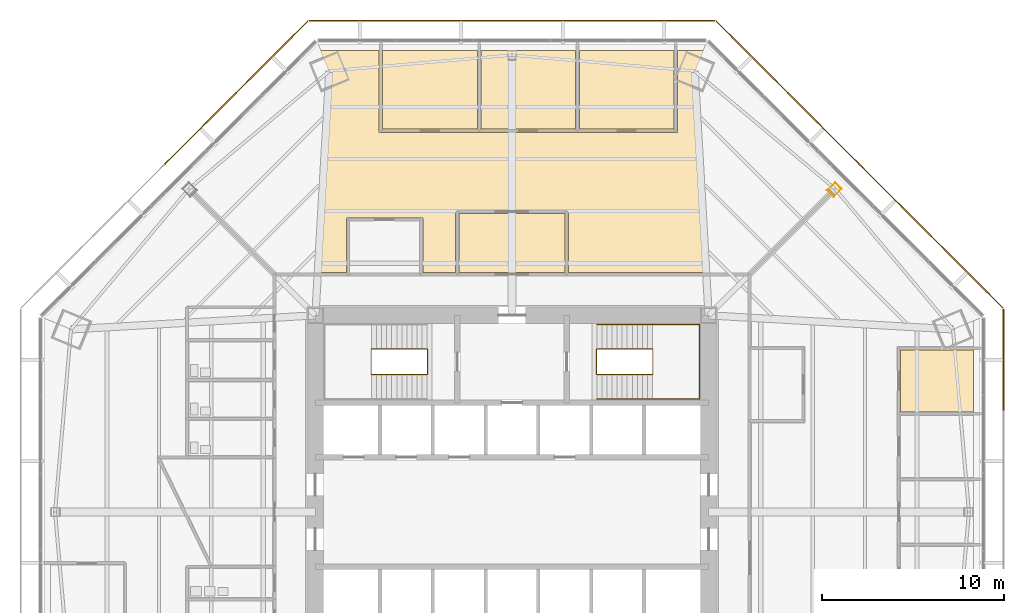
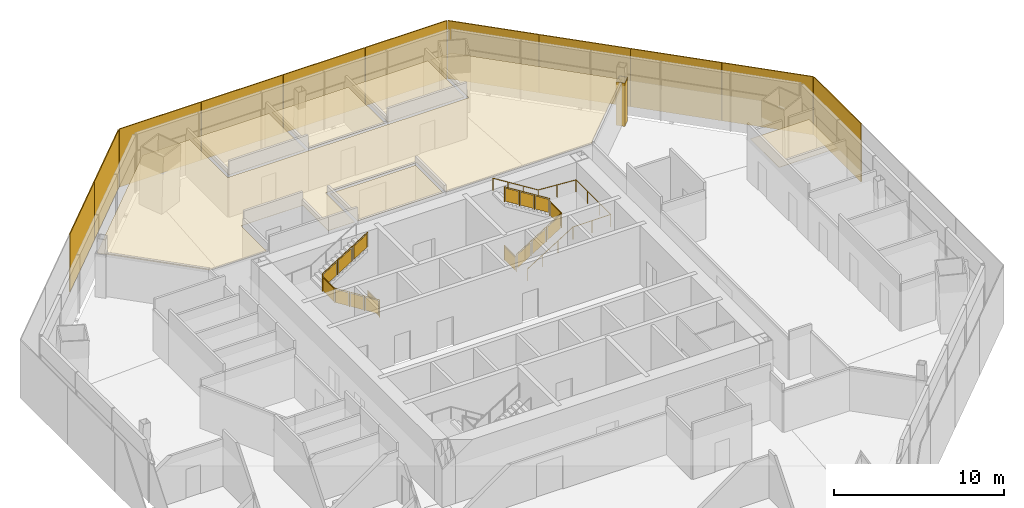
# One storey, part 14 of 15: 11 shading devices, 7 coverings, 3 railings.
"""IFC4 building model written with IfcOpenShell, lengths in metres."""

from ifc_helpers import new_model, si_unit, direction, frame, origin, origin_2d, place, context, subcontext, project, spatial, polyline, rectangle, circle, outline, extrude, source, transform, mapped, material, layer, layer_set, type_object, type_shapes, element, save


model = new_model("IFC4")

# Units and contexts
model_context = context("Model", 3, precision=1e-05, world=origin(), true_north=direction((0.0, 1.0)))
body_context = subcontext(model_context, "Body", "Model", "MODEL_VIEW")
ifc_project = project(units=[si_unit("LENGTHUNIT", "METRE"), si_unit("AREAUNIT", "SQUARE_METRE"), si_unit("VOLUMEUNIT", "CUBIC_METRE"), si_unit("PLANEANGLEUNIT", "RADIAN"), si_unit("MASSUNIT", "GRAM", prefix="KILO")], contexts=[model_context])

# Site, building, storey
site_placement = place(None, origin())
site = spatial("IfcSite", under=ifc_project, at=site_placement, CompositionType="ELEMENT")
building_placement = place(site_placement, origin())
building = spatial("IfcBuilding", under=site, at=building_placement, Name="Mashrafa Tower", CompositionType="ELEMENT")
storey_placement = place(building_placement, frame((0.0, 0.0, 75.0)))
storey = spatial("IfcBuildingStorey", under=building, at=storey_placement, Name="L16", CompositionType="ELEMENT", Elevation=75.0)

# Covering
ifc_material_1 = material(Name="Gypsum board")
ifc_layer_1 = layer(ifc_material_1, 0.014892578125)
ifc_layer_set_1 = layer_set([ifc_layer_1], Name="Column casing plasterboard 15")
covering_type_1 = type_object("IfcCoveringType", Name="Column casing plasterboard 15", PredefinedType="CLADDING", material=ifc_layer_set_1)
covering_1_placement = place(storey_placement, origin())
element("IfcCovering", 1, at=covering_1_placement, inside=storey, type_object=covering_type_1, Name="Column casing L16-001", PredefinedType="CLADDING", context=body_context, shape_type="SweptSolid", body=[
    extrude(outline(polyline([(17.28466796875, 17.659423828125), (17.74365234375, 18.118408203125), (18.118408203125, 17.74365234375), (17.659423828125, 17.28466796875), (17.28466796875, 17.659423828125)]), holes=[polyline([(18.09716796875, 17.74365234375), (17.74365234375, 18.09716796875), (17.305908203125, 17.659423828125), (17.659423828125, 17.305908203125), (18.09716796875, 17.74365234375)])]), origin(), (0.0, 0.0, 1.0), 3.113037109375),
])

# Railings
ifc_material_2 = material(Name="Steel guard with glass infill", Category="steel")
railing_type_1 = type_object("IfcRailingType", Name="Stair guard 1100", PredefinedType="GUARDRAIL", material=ifc_material_2)
railing_1_placement = place(storey_placement, frame((-4.64990234375, 8.949951171875, 0.0)))
element("IfcRailing", 2, at=railing_1_placement, inside=storey, type_object=railing_type_1, Name="Stair S1 guard L16", PredefinedType="GUARDRAIL", context=body_context, shape_type="SweptSolid", body=[
    extrude(circle(Radius=0.02392578125, at=origin_2d()), frame((0.0, 0.0, 1.076171875), z_axis=(0.0, -1.0, 0.0), x_axis=(1.0, 0.0, 0.0)), (0.0, 0.0, 1.0), 1.39990234375),
    extrude(circle(Radius=0.02392578125, at=origin_2d()), frame((0.0, -1.39990234375, 1.076171875), z_axis=(0.0, 0.0, 1.0), x_axis=(1.0, 0.0, 0.0)), (0.0, 0.0, 1.0), 0.175048828125),
    extrude(circle(Radius=0.02392578125, at=origin_2d()), frame((0.0, -1.39990234375, 1.2509765625), z_axis=(-0.847998304005, 0.0, 0.529998940003), x_axis=(0.0, -1.0, 0.0)), (0.0, 0.0, 1.0), 3.632080078125),
    extrude(circle(Radius=0.02392578125, at=origin_2d()), frame((-3.080078125, -1.39990234375, 3.17626953125), z_axis=(0.0, 1.0, 0.0), x_axis=(-1.0, 0.0, 0.0)), (0.0, 0.0, 1.0), 1.39990234375),
    extrude(circle(Radius=0.02392578125, at=origin_2d()), frame((-3.080078125, 0.0, 3.17626953125), z_axis=(0.0, 0.0, 1.0), x_axis=(1.0, 0.0, 0.0)), (0.0, 0.0, 1.0), 0.1748046875),
    extrude(circle(Radius=0.02392578125, at=origin_2d()), frame((-3.080078125, 0.0, 3.35107421875), z_axis=(0.847998304005, 0.0, 0.529998940003), x_axis=(0.0, 1.0, 0.0)), (0.0, 0.0, 1.0), 3.632080078125),
    extrude(circle(Radius=0.02099609375, at=origin_2d()), origin(), (0.0, 0.0, 1.0), 1.052001953125),
    extrude(circle(Radius=0.02099609375, at=origin_2d()), frame((0.0, -1.39990234375, 0.0)), (0.0, 0.0, 1.0), 1.052001953125),
    extrude(circle(Radius=0.02099609375, at=origin_2d()), frame((0.0, -1.39990234375, 0.175048828125)), (0.0, 0.0, 1.0), 1.052001953125),
    extrude(circle(Radius=0.02099609375, at=origin_2d()), frame((-1.026611328125, -1.39990234375, 0.816650390625)), (0.0, 0.0, 1.0), 1.052001953125),
    extrude(circle(Radius=0.02099609375, at=origin_2d()), frame((-2.053466796875, -1.39990234375, 1.45849609375)), (0.0, 0.0, 1.0), 1.052001953125),
    extrude(circle(Radius=0.02099609375, at=origin_2d()), frame((-3.080078125, -1.39990234375, 2.10009765625)), (0.0, 0.0, 1.0), 1.052001953125),
    extrude(circle(Radius=0.02099609375, at=origin_2d()), frame((-3.080078125, 0.0, 2.10009765625)), (0.0, 0.0, 1.0), 1.052001953125),
    extrude(circle(Radius=0.02099609375, at=origin_2d()), frame((-3.080078125, 0.0, 2.27490234375)), (0.0, 0.0, 1.0), 1.052001953125),
    extrude(circle(Radius=0.02099609375, at=origin_2d()), frame((-2.053466796875, 0.0, 2.91650390625)), (0.0, 0.0, 1.0), 1.052001953125),
    extrude(circle(Radius=0.02099609375, at=origin_2d()), frame((-1.026611328125, 0.0, 3.558349609375)), (0.0, 0.0, 1.0), 1.052001953125),
    extrude(circle(Radius=0.02099609375, at=origin_2d()), frame((0.0, 0.0, 4.199951171875)), (0.0, 0.0, 1.0), 1.052001953125),
    extrude(outline(polyline([(0.071044921875, 0.050048828125), (1.328857421875, 0.050048828125), (1.328857421875, 1.001953125), (0.071044921875, 1.001953125), (0.071044921875, 0.050048828125)])), frame((-0.006103515625, 0.0, 0.0), z_axis=(-1.0, 0.0, 0.0), x_axis=(0.0, -1.0, 0.0)), (0.0, 0.0, 1.0), 0.011962890625),
    extrude(outline(polyline([(0.071044921875, 0.094482421875), (0.955810546875, 0.647216796875), (0.955810546875, 1.599365234375), (0.071044921875, 1.04638671875), (0.071044921875, 0.094482421875)])), frame((0.0, -1.393798828125, 0.175048828125), z_axis=(0.0, 1.0, 0.0), x_axis=(-1.0, 0.0, 0.0)), (0.0, 0.0, 1.0), 0.011962890625),
    extrude(outline(polyline([(1.09765625, 0.736083984375), (1.982421875, 1.2890625), (1.982421875, 2.240966796875), (1.09765625, 1.68798828125), (1.09765625, 0.736083984375)])), frame((0.0, -1.393798828125, 0.175048828125), z_axis=(0.0, 1.0, 0.0), x_axis=(-1.0, 0.0, 0.0)), (0.0, 0.0, 1.0), 0.011962890625),
    extrude(outline(polyline([(2.124267578125, 1.377685546875), (3.009033203125, 1.9306640625), (3.009033203125, 2.882568359375), (2.124267578125, 2.329833984375), (2.124267578125, 1.377685546875)])), frame((0.0, -1.393798828125, 0.175048828125), z_axis=(0.0, 1.0, 0.0), x_axis=(-1.0, 0.0, 0.0)), (0.0, 0.0, 1.0), 0.011962890625),
    extrude(outline(polyline([(0.071044921875, 0.050048828125), (1.328857421875, 0.050048828125), (1.328857421875, 1.001953125), (0.071044921875, 1.001953125), (0.071044921875, 0.050048828125)])), frame((-3.073974609375, -1.39990234375, 2.10009765625), z_axis=(1.0, 0.0, 0.0), x_axis=(0.0, 1.0, 0.0)), (0.0, 0.0, 1.0), 0.011962890625),
    extrude(outline(polyline([(0.071044921875, 0.094482421875), (0.955810546875, 0.647216796875), (0.955810546875, 1.599365234375), (0.071044921875, 1.04638671875), (0.071044921875, 0.094482421875)])), frame((-3.080078125, -0.006103515625, 2.27490234375), z_axis=(0.0, -1.0, 0.0), x_axis=(1.0, 0.0, 0.0)), (0.0, 0.0, 1.0), 0.011962890625),
    extrude(outline(polyline([(1.09765625, 0.736083984375), (1.982421875, 1.2890625), (1.982421875, 2.240966796875), (1.09765625, 1.68798828125), (1.09765625, 0.736083984375)])), frame((-3.080078125, -0.006103515625, 2.27490234375), z_axis=(0.0, -1.0, 0.0), x_axis=(1.0, 0.0, 0.0)), (0.0, 0.0, 1.0), 0.011962890625),
    extrude(outline(polyline([(2.124267578125, 1.377685546875), (3.009033203125, 1.9306640625), (3.009033203125, 2.882568359375), (2.124267578125, 2.329833984375), (2.124267578125, 1.377685546875)])), frame((-3.080078125, -0.006103515625, 2.27490234375), z_axis=(0.0, -1.0, 0.0), x_axis=(1.0, 0.0, 0.0)), (0.0, 0.0, 1.0), 0.011962890625),
])
railing_2_placement = place(storey_placement, frame((4.64990234375, 8.949951171875, 0.0)))
element("IfcRailing", 3, at=railing_2_placement, inside=storey, type_object=railing_type_1, Name="Stair S2 guard L16", PredefinedType="GUARDRAIL", context=body_context, shape_type="SweptSolid", body=[
    extrude(circle(Radius=0.02392578125, at=origin_2d()), frame((0.0, 0.0, 1.076171875), z_axis=(0.0, -1.0, 0.0), x_axis=(1.0, 0.0, 0.0)), (0.0, 0.0, 1.0), 1.39990234375),
    extrude(circle(Radius=0.02392578125, at=origin_2d()), frame((0.0, -1.39990234375, 1.076171875), z_axis=(0.0, 0.0, 1.0), x_axis=(1.0, 0.0, 0.0)), (0.0, 0.0, 1.0), 0.175048828125),
    extrude(circle(Radius=0.02392578125, at=origin_2d()), frame((0.0, -1.39990234375, 1.2509765625), z_axis=(0.847998304005, 0.0, 0.529998940003), x_axis=(0.0, 1.0, 0.0)), (0.0, 0.0, 1.0), 3.632080078125),
    extrude(circle(Radius=0.02392578125, at=origin_2d()), frame((3.080078125, -1.39990234375, 3.17626953125), z_axis=(0.0, 1.0, 0.0), x_axis=(-1.0, 0.0, 0.0)), (0.0, 0.0, 1.0), 1.39990234375),
    extrude(circle(Radius=0.02392578125, at=origin_2d()), frame((3.080078125, 0.0, 3.17626953125), z_axis=(0.0, 0.0, 1.0), x_axis=(1.0, 0.0, 0.0)), (0.0, 0.0, 1.0), 0.1748046875),
    extrude(circle(Radius=0.02392578125, at=origin_2d()), frame((3.080078125, 0.0, 3.35107421875), z_axis=(-0.847998304005, 0.0, 0.529998940003), x_axis=(0.0, -1.0, 0.0)), (0.0, 0.0, 1.0), 3.632080078125),
    extrude(circle(Radius=0.02099609375, at=origin_2d()), origin(), (0.0, 0.0, 1.0), 1.052001953125),
    extrude(circle(Radius=0.02099609375, at=origin_2d()), frame((0.0, -1.39990234375, 0.0)), (0.0, 0.0, 1.0), 1.052001953125),
    extrude(circle(Radius=0.02099609375, at=origin_2d()), frame((0.0, -1.39990234375, 0.175048828125)), (0.0, 0.0, 1.0), 1.052001953125),
    extrude(circle(Radius=0.02099609375, at=origin_2d()), frame((1.026611328125, -1.39990234375, 0.816650390625)), (0.0, 0.0, 1.0), 1.052001953125),
    extrude(circle(Radius=0.02099609375, at=origin_2d()), frame((2.053466796875, -1.39990234375, 1.45849609375)), (0.0, 0.0, 1.0), 1.052001953125),
    extrude(circle(Radius=0.02099609375, at=origin_2d()), frame((3.080078125, -1.39990234375, 2.10009765625)), (0.0, 0.0, 1.0), 1.052001953125),
    extrude(circle(Radius=0.02099609375, at=origin_2d()), frame((3.080078125, 0.0, 2.10009765625)), (0.0, 0.0, 1.0), 1.052001953125),
    extrude(circle(Radius=0.02099609375, at=origin_2d()), frame((3.080078125, 0.0, 2.27490234375)), (0.0, 0.0, 1.0), 1.052001953125),
    extrude(circle(Radius=0.02099609375, at=origin_2d()), frame((2.053466796875, 0.0, 2.91650390625)), (0.0, 0.0, 1.0), 1.052001953125),
    extrude(circle(Radius=0.02099609375, at=origin_2d()), frame((1.026611328125, 0.0, 3.558349609375)), (0.0, 0.0, 1.0), 1.052001953125),
    extrude(circle(Radius=0.02099609375, at=origin_2d()), frame((0.0, 0.0, 4.199951171875)), (0.0, 0.0, 1.0), 1.052001953125),
    extrude(outline(polyline([(0.071044921875, 0.050048828125), (1.328857421875, 0.050048828125), (1.328857421875, 1.001953125), (0.071044921875, 1.001953125), (0.071044921875, 0.050048828125)])), frame((-0.006103515625, 0.0, 0.0), z_axis=(-1.0, 0.0, 0.0), x_axis=(0.0, -1.0, 0.0)), (0.0, 0.0, 1.0), 0.011962890625),
    extrude(outline(polyline([(0.071044921875, 0.094482421875), (0.955810546875, 0.647216796875), (0.955810546875, 1.599365234375), (0.071044921875, 1.04638671875), (0.071044921875, 0.094482421875)])), frame((0.0, -1.406005859375, 0.175048828125), z_axis=(0.0, -1.0, 0.0), x_axis=(1.0, 0.0, 0.0)), (0.0, 0.0, 1.0), 0.011962890625),
    extrude(outline(polyline([(1.09765625, 0.736083984375), (1.982421875, 1.2890625), (1.982421875, 2.240966796875), (1.09765625, 1.68798828125), (1.09765625, 0.736083984375)])), frame((0.0, -1.406005859375, 0.175048828125), z_axis=(0.0, -1.0, 0.0), x_axis=(1.0, 0.0, 0.0)), (0.0, 0.0, 1.0), 0.011962890625),
    extrude(outline(polyline([(2.124267578125, 1.377685546875), (3.009033203125, 1.9306640625), (3.009033203125, 2.882568359375), (2.124267578125, 2.329833984375), (2.124267578125, 1.377685546875)])), frame((0.0, -1.406005859375, 0.175048828125), z_axis=(0.0, -1.0, 0.0), x_axis=(1.0, 0.0, 0.0)), (0.0, 0.0, 1.0), 0.011962890625),
    extrude(outline(polyline([(0.071044921875, 0.050048828125), (1.328857421875, 0.050048828125), (1.328857421875, 1.001953125), (0.071044921875, 1.001953125), (0.071044921875, 0.050048828125)])), frame((3.086181640625, -1.39990234375, 2.10009765625), z_axis=(1.0, 0.0, 0.0), x_axis=(0.0, 1.0, 0.0)), (0.0, 0.0, 1.0), 0.011962890625),
    extrude(outline(polyline([(0.071044921875, 0.094482421875), (0.955810546875, 0.647216796875), (0.955810546875, 1.599365234375), (0.071044921875, 1.04638671875), (0.071044921875, 0.094482421875)])), frame((3.080078125, 0.006103515625, 2.27490234375), z_axis=(0.0, 1.0, 0.0), x_axis=(-1.0, 0.0, 0.0)), (0.0, 0.0, 1.0), 0.011962890625),
    extrude(outline(polyline([(1.09765625, 0.736083984375), (1.982421875, 1.2890625), (1.982421875, 2.240966796875), (1.09765625, 1.68798828125), (1.09765625, 0.736083984375)])), frame((3.080078125, 0.006103515625, 2.27490234375), z_axis=(0.0, 1.0, 0.0), x_axis=(-1.0, 0.0, 0.0)), (0.0, 0.0, 1.0), 0.011962890625),
    extrude(outline(polyline([(2.124267578125, 1.377685546875), (3.009033203125, 1.9306640625), (3.009033203125, 2.882568359375), (2.124267578125, 2.329833984375), (2.124267578125, 1.377685546875)])), frame((3.080078125, 0.006103515625, 2.27490234375), z_axis=(0.0, 1.0, 0.0), x_axis=(-1.0, 0.0, 0.0)), (0.0, 0.0, 1.0), 0.011962890625),
])
ifc_material_3 = material(Name="Steel", Category="steel")
railing_type_2 = type_object("IfcRailingType", Name="Stair handrail 900", PredefinedType="HANDRAIL", material=ifc_material_3)
railing_3_placement = place(storey_placement, frame((4.64990234375, 6.199951171875, 0.175048828125)))
element("IfcRailing", 4, at=railing_3_placement, inside=storey, type_object=railing_type_2, Name="Stair S2 handrail L16", PredefinedType="HANDRAIL", context=body_context, shape_type="SweptSolid", body=[
    extrude(circle(Radius=0.02392578125, at=origin_2d()), frame((0.0, 0.0, 0.8759765625), z_axis=(0.847998304005, 0.0, 0.529998940003), x_axis=(0.0, 1.0, 0.0)), (0.0, 0.0, 1.0), 3.632080078125),
    extrude(circle(Radius=0.02392578125, at=origin_2d()), frame((3.080078125, 0.0, 2.80078125), z_axis=(1.0, 0.0, 0.0), x_axis=(0.0, 1.0, 0.0)), (0.0, 0.0, 1.0), 2.570068359375),
    extrude(circle(Radius=0.02392578125, at=origin_2d()), frame((5.650146484375, 0.0, 2.80078125), z_axis=(0.0, 1.0, 0.0), x_axis=(-1.0, 0.0, 0.0)), (0.0, 0.0, 1.0), 4.10009765625),
    extrude(circle(Radius=0.02392578125, at=origin_2d()), frame((5.650146484375, 4.10009765625, 2.80078125), z_axis=(-0.99769493506, 0.0, 0.067858798661), x_axis=(0.0, -1.0, 0.0)), (0.0, 0.0, 1.0), 2.575927734375),
    extrude(circle(Radius=0.02392578125, at=origin_2d()), frame((3.080078125, 4.10009765625, 2.9755859375), z_axis=(-0.847998304005, 0.0, 0.529998940003), x_axis=(0.0, -1.0, 0.0)), (0.0, 0.0, 1.0), 3.632080078125),
    extrude(circle(Radius=0.02099609375, at=origin_2d()), origin(), (0.0, 0.0, 1.0), 0.851806640625),
    extrude(circle(Radius=0.02099609375, at=origin_2d()), frame((1.026611328125, 0.0, 0.6416015625)), (0.0, 0.0, 1.0), 0.851806640625),
    extrude(circle(Radius=0.02099609375, at=origin_2d()), frame((2.053466796875, 0.0, 1.283447265625)), (0.0, 0.0, 1.0), 0.851806640625),
    extrude(circle(Radius=0.02099609375, at=origin_2d()), frame((3.080078125, 0.0, 1.925048828125)), (0.0, 0.0, 1.0), 0.851806640625),
    extrude(circle(Radius=0.02099609375, at=origin_2d()), frame((4.365234375, 0.0, 1.925048828125)), (0.0, 0.0, 1.0), 0.851806640625),
    extrude(circle(Radius=0.02099609375, at=origin_2d()), frame((5.650146484375, 0.0, 1.925048828125)), (0.0, 0.0, 1.0), 0.851806640625),
    extrude(circle(Radius=0.02099609375, at=origin_2d()), frame((5.650146484375, 1.36669921875, 1.925048828125)), (0.0, 0.0, 1.0), 0.851806640625),
    extrude(circle(Radius=0.02099609375, at=origin_2d()), frame((5.650146484375, 2.7333984375, 1.925048828125)), (0.0, 0.0, 1.0), 0.851806640625),
    extrude(circle(Radius=0.02099609375, at=origin_2d()), frame((5.650146484375, 4.10009765625, 1.925048828125)), (0.0, 0.0, 1.0), 0.851806640625),
    extrude(circle(Radius=0.02099609375, at=origin_2d()), frame((4.365234375, 4.10009765625, 2.012451171875)), (0.0, 0.0, 1.0), 0.851806640625),
    extrude(circle(Radius=0.02099609375, at=origin_2d()), frame((3.080078125, 4.10009765625, 2.099853515625)), (0.0, 0.0, 1.0), 0.851806640625),
    extrude(circle(Radius=0.02099609375, at=origin_2d()), frame((2.053466796875, 4.10009765625, 2.741455078125)), (0.0, 0.0, 1.0), 0.851806640625),
    extrude(circle(Radius=0.02099609375, at=origin_2d()), frame((1.026611328125, 4.10009765625, 3.38330078125)), (0.0, 0.0, 1.0), 0.851806640625),
    extrude(circle(Radius=0.02099609375, at=origin_2d()), frame((0.0, 4.10009765625, 4.02490234375)), (0.0, 0.0, 1.0), 0.851806640625),
])

# Coverings
ifc_material_4 = material(Name="Mineral fibre tile on suspension grid")
ifc_layer_2 = layer(ifc_material_4, 0.014892578125)
ifc_layer_set_2 = layer_set([ifc_layer_2], Name="Suspended ceiling mineral tile 15")
covering_type_2 = type_object("IfcCoveringType", Name="Suspended ceiling mineral tile 15", PredefinedType="CEILING", material=ifc_layer_set_2)
covering_2_placement = place(storey_placement, frame((0.0, 0.0, 2.89990234375)))
element("IfcCovering", 5, at=covering_2_placement, inside=storey, type_object=covering_type_2, Name="Ceiling Reception 16-N", PredefinedType="CEILING", context=body_context, shape_type="SweptSolid", body=[
    extrude(outline(polyline([(-2.89990234375, 16.39990234375), (2.89990234375, 16.39990234375), (2.89990234375, 13.14990234375), (-2.89990234375, 13.14990234375), (-2.89990234375, 16.39990234375)])), origin(), (0.0, 0.0, 1.0), 0.01513671875),
])
covering_3_placement = place(storey_placement, frame((0.0, 0.0, 2.89990234375)))
element("IfcCovering", 6, at=covering_3_placement, inside=storey, type_object=covering_type_2, Name="Ceiling Meeting Room 16-N-1", PredefinedType="CEILING", context=body_context, shape_type="SweptSolid", body=[
    extrude(outline(polyline([(3.699951171875, 25.343017578125), (8.89990234375, 25.343017578125), (8.89990234375, 21.043212890625), (3.699951171875, 21.043212890625), (3.699951171875, 25.343017578125)])), origin(), (0.0, 0.0, 1.0), 0.01513671875),
])
covering_4_placement = place(storey_placement, frame((0.0, 0.0, 2.89990234375)))
element("IfcCovering", 7, at=covering_4_placement, inside=storey, type_object=covering_type_2, Name="Ceiling Meeting Room 16-N-2", PredefinedType="CEILING", context=body_context, shape_type="SweptSolid", body=[
    extrude(outline(polyline([(-1.699951171875, 25.343017578125), (3.5, 25.343017578125), (3.5, 21.043212890625), (-1.699951171875, 21.043212890625), (-1.699951171875, 25.343017578125)])), origin(), (0.0, 0.0, 1.0), 0.01513671875),
])
covering_5_placement = place(storey_placement, frame((0.0, 0.0, 2.89990234375)))
element("IfcCovering", 8, at=covering_5_placement, inside=storey, type_object=covering_type_2, Name="Ceiling Meeting Room 16-N-3", PredefinedType="CEILING", context=body_context, shape_type="SweptSolid", body=[
    extrude(outline(polyline([(-7.10009765625, 25.343017578125), (-1.89990234375, 25.343017578125), (-1.89990234375, 21.043212890625), (-7.10009765625, 21.043212890625), (-7.10009765625, 25.343017578125)])), origin(), (0.0, 0.0, 1.0), 0.01513671875),
])
covering_6_placement = place(storey_placement, frame((0.0, 0.0, 2.89990234375)))
element("IfcCovering", 9, at=covering_6_placement, inside=storey, type_object=covering_type_2, Name="Ceiling Office 16-E-5", PredefinedType="CEILING", context=body_context, shape_type="SweptSolid", body=[
    extrude(outline(polyline([(21.343017578125, 8.89990234375), (25.343017578125, 8.89990234375), (25.343017578125, 5.5), (21.343017578125, 5.5), (21.343017578125, 8.89990234375)])), origin(), (0.0, 0.0, 1.0), 0.01513671875),
])
covering_7_placement = place(storey_placement, frame((0.0, 0.0, 2.89990234375)))
element("IfcCovering", 10, at=covering_7_placement, inside=storey, type_object=covering_type_2, Name="Ceiling Office Tenancy 16-N", PredefinedType="CEILING", context=body_context, shape_type="SweptSolid", body=[
    extrude(outline(polyline([(-13.008544921875, 13.14990234375), (-17.849609375, 17.990966796875), (-10.497314453125, 25.343017578125), (-7.300048828125, 25.343017578125), (-7.300048828125, 20.843017578125), (9.10009765625, 20.843017578125), (9.10009765625, 25.343017578125), (10.497314453125, 25.343017578125), (17.849609375, 17.990966796875), (13.008544921875, 13.14990234375), (3.10009765625, 13.14990234375), (3.10009765625, 16.60009765625), (-3.10009765625, 16.60009765625), (-3.10009765625, 13.14990234375), (-4.89990234375, 13.14990234375), (-4.89990234375, 16.14990234375), (-9.10009765625, 16.14990234375), (-9.10009765625, 13.14990234375), (-13.008544921875, 13.14990234375)])), origin(), (0.0, 0.0, 1.0), 0.01513671875),
])

# Shading devices
ifc_material_5 = material(Name="Perforated aluminium plate, eight-point star pattern", Category="aluminium")
ifc_layer_3 = layer(ifc_material_5, 0.06005859375)
ifc_layer_set_3 = layer_set([ifc_layer_3], Name="Mashrabiya screen panel office zone 1, 45 percent open")
shading_device_type = type_object("IfcShadingDeviceType", Name="Mashrabiya screen panel office zone 1, 45 percent open", PredefinedType="SHUTTER", material=ifc_layer_set_3)
shared_shape = source(origin(), body_context, "Body", "SweptSolid", [
    extrude(rectangle(XDim=5.559326171875, YDim=0.06005859375, at=origin_2d()), origin(), (0.0, 0.0, 1.0), 4.179931640625),
])
type_shapes(shading_device_type, [shared_shape])
for number, where, z_axis, x_axis, name in (
    (11, (26.9931640625, 8.368896484375, -0.14990234375), (0.0, 0.0, 1.0), (0.0, 1.0, 0.0), "Mashrabiya screen L16 east 4"),
    (12, (25.004638671875, 13.169189453125, -0.14990234375), (0.0, 0.0, 1.0), (-0.707106781187, 0.707106781187, 0.0), "Mashrabiya screen L16 north-east 1"),
    (13, (21.0595703125, 17.114501953125, -0.14990234375), (0.0, 0.0, 1.0), (-0.707106781187, 0.707106781187, 0.0), "Mashrabiya screen L16 north-east 2"),
    (14, (17.114501953125, 21.0595703125, -0.14990234375), (0.0, 0.0, 1.0), (-0.707106781187, 0.707106781187, 0.0), "Mashrabiya screen L16 north-east 3"),
    (15, (13.169189453125, 25.004638671875, -0.14990234375), (0.0, 0.0, 1.0), (-0.707106781187, 0.707106781187, 0.0), "Mashrabiya screen L16 north-east 4"),
    (16, (8.368896484375, 26.9931640625, -0.14990234375), (0.0, 0.0, 1.0), (-1.0, 0.0, 0.0), "Mashrabiya screen L16 north 1"),
    (17, (2.78955078125, 26.9931640625, -0.14990234375), (0.0, 0.0, 1.0), (-1.0, 0.0, 0.0), "Mashrabiya screen L16 north 2"),
    (18, (-2.78955078125, 26.9931640625, -0.14990234375), (0.0, 0.0, 1.0), (-1.0, 0.0, 0.0), "Mashrabiya screen L16 north 3"),
    (19, (-8.368896484375, 26.9931640625, -0.14990234375), (0.0, 0.0, 1.0), (-1.0, 0.0, 0.0), "Mashrabiya screen L16 north 4"),
    (20, (-13.169189453125, 25.004638671875, -0.14990234375), (0.0, 0.0, 1.0), (-0.707106781187, -0.707106781187, 0.0), "Mashrabiya screen L16 north-west 1"),
    (21, (-17.114501953125, 21.0595703125, -0.14990234375), (0.0, 0.0, 1.0), (-0.707106781187, -0.707106781187, 0.0), "Mashrabiya screen L16 north-west 2"),
):
    element("IfcShadingDevice", number, at=place(storey_placement, frame(where, z_axis=z_axis, x_axis=x_axis)), inside=storey, type_object=shading_device_type, Name=name, PredefinedType="SHUTTER", context=body_context, shape_type="MappedRepresentation", body=[
        mapped(shared_shape, transform((0.0, 0.0, 0.0))),
    ])

save(model, "model.ifc")
